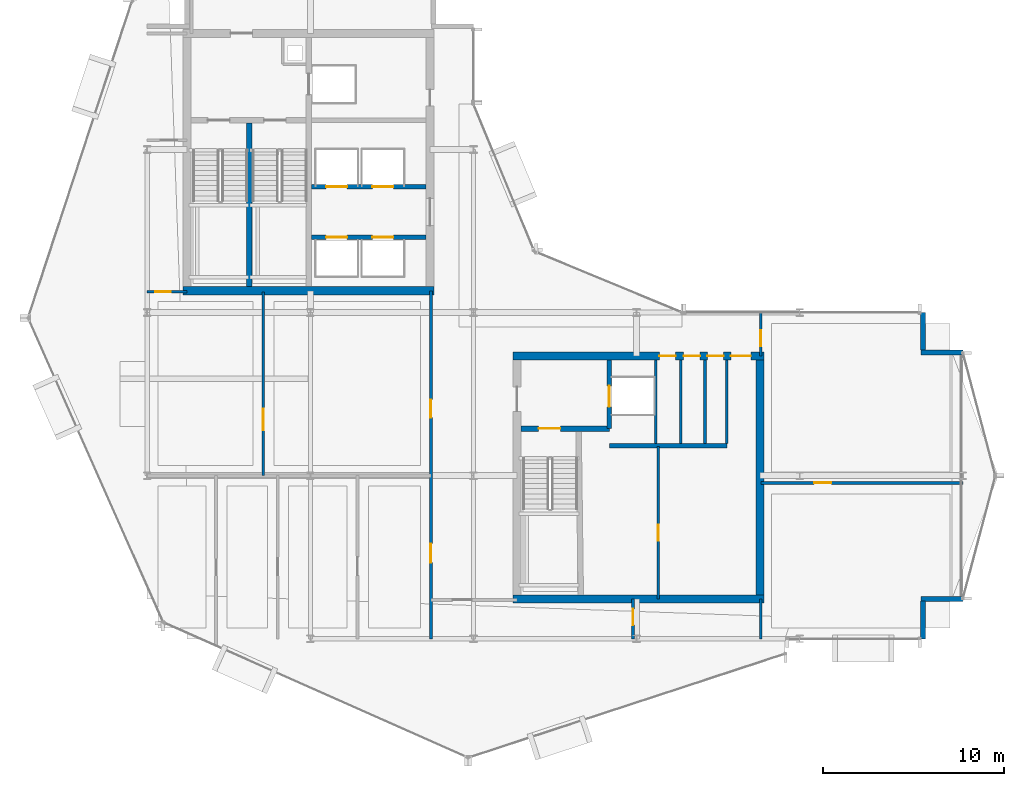
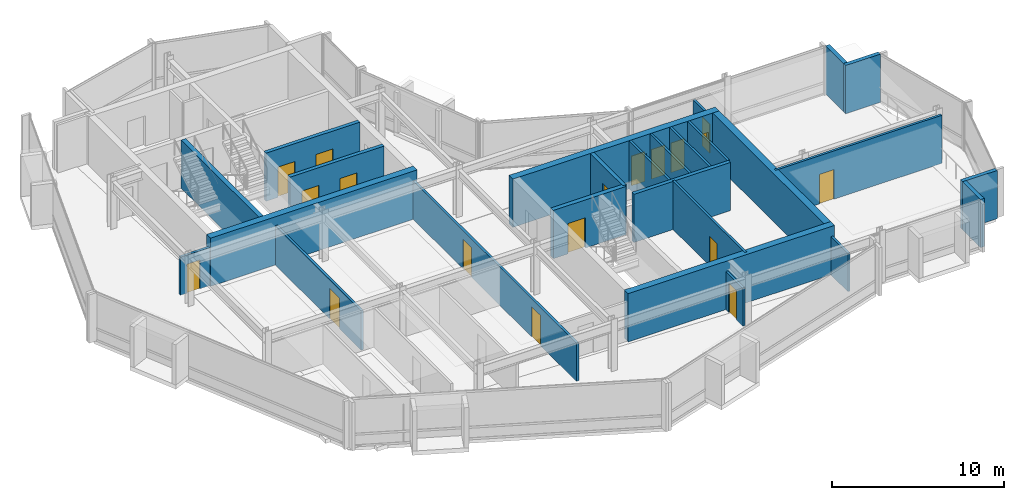
# One storey, part 20 of 27: 26 walls, 18 doors, 18 openings.
"""IFC4 building model written with IfcOpenShell, lengths in metres."""

from ifc_helpers import new_model, si_unit, direction, frame, frame_2d, origin, place, context, subcontext, project, spatial, rectangle, extrude, material, layer, layer_set, type_object, element, fill, save


model = new_model("IFC4")

# Units and contexts
model_context = context("Model", 3, precision=1e-05, world=origin(), true_north=direction((0.0, 1.0)))
body_context = subcontext(model_context, "Body", "Model", "MODEL_VIEW")
ifc_project = project(units=[si_unit("LENGTHUNIT", "METRE"), si_unit("AREAUNIT", "SQUARE_METRE"), si_unit("VOLUMEUNIT", "CUBIC_METRE"), si_unit("PLANEANGLEUNIT", "RADIAN"), si_unit("MASSUNIT", "GRAM", prefix="KILO")], contexts=[model_context])

# Site, building, storey
site_placement = place(None, origin())
site = spatial("IfcSite", under=ifc_project, at=site_placement, CompositionType="ELEMENT")
building_placement = place(site_placement, origin())
building = spatial("IfcBuilding", under=site, at=building_placement, Name="Solvaryn Broadcast Tower", CompositionType="ELEMENT")
storey_placement = place(building_placement, frame((0.0, 0.0, 224.699951171875)))
storey = spatial("IfcBuildingStorey", under=building, at=storey_placement, Name="L56", CompositionType="ELEMENT", Elevation=224.699951171875)

# Walls
ifc_material_1 = material(Name="Concrete f'c 70 MPa", Category="concrete")
ifc_layer_1 = layer(ifc_material_1, 0.449951171875)
ifc_layer_set_1 = layer_set([ifc_layer_1], Name="CW-SHEAR-450")
wall_type_1 = type_object("IfcWallType", Name="CW-SHEAR-450", PredefinedType="SHEAR", material=ifc_layer_set_1)
for number, where, z_axis, x_axis, name in (
    (1, (10.97509765625, 28.199951171875, 0.0), (0.0, 0.0, 1.0), (1.0, 0.0, 0.0), "L56 West Core South Shear Wall"),
    (2, (29.175048828125, 11.199951171875, 0.0), (0.0, 0.0, 1.0), (1.0, 0.0, 0.0), "L56 East Core South Shear Wall"),
):
    element("IfcWall", number, at=place(storey_placement, frame(where, z_axis=z_axis, x_axis=x_axis)), inside=storey, type_object=wall_type_1, Name=name, PredefinedType="SHEAR", context=body_context, shape_type="SweptSolid", body=[
        extrude(rectangle(XDim=13.849853515625, YDim=0.449951171875, at=frame_2d((6.9248046875, 0.0))), origin(), (0.0, 0.0, 1.0), 3.420166015625),
    ])

# Wall, openings, doors
wall_1_placement = place(storey_placement, frame((43.02490234375, 24.60009765625, 0.0), z_axis=(0.0, 0.0, 1.0), x_axis=(-1.0, 0.0, 0.0)))
wall_1 = element("IfcWall", 3, at=wall_1_placement, inside=storey, type_object=wall_type_1, Name="L56 East Core North Shear Wall", PredefinedType="SHEAR", context=body_context, shape_type="SweptSolid", body=[
    extrude(rectangle(XDim=13.849853515625, YDim=0.449951171875, at=frame_2d((6.9248046875, 0.0))), origin(), (0.0, 0.0, 1.0), 3.420166015625),
])
opening_1_placement = place(wall_1_placement, frame((0.72509765625, 0.0, 0.0)))
opening_1 = element("IfcOpeningElement", 4, at=opening_1_placement, cuts=wall_1, Name="Opening FD90C", PredefinedType="OPENING", context=body_context, shape_type="SweptSolid", body=[
    extrude(rectangle(XDim=1.10009765625, YDim=2.14990234375, at=frame_2d((0.550048828125, 1.074951171875))), frame((0.0, 0.235107421875, 0.0), z_axis=(0.0, -1.0, 0.0), x_axis=(1.0, 0.0, 0.0)), (0.0, 0.0, 1.0), 0.469970703125),
])
opening_2_placement = place(wall_1_placement, frame((2.22509765625, 0.0, 0.0)))
opening_2 = element("IfcOpeningElement", 5, at=opening_2_placement, cuts=wall_1, Name="Opening FD60C", PredefinedType="OPENING", context=body_context, shape_type="SweptSolid", body=[
    extrude(rectangle(XDim=0.89990234375, YDim=2.10009765625, at=frame_2d((0.449951171875, 1.050048828125))), frame((0.0, 0.235107421875, 0.0), z_axis=(0.0, -1.0, 0.0), x_axis=(1.0, 0.0, 0.0)), (0.0, 0.0, 1.0), 0.469970703125),
])
opening_3_placement = place(wall_1_placement, frame((3.52490234375, 0.0, 0.0)))
opening_3 = element("IfcOpeningElement", 6, at=opening_3_placement, cuts=wall_1, Name="Opening FD60C", PredefinedType="OPENING", context=body_context, shape_type="SweptSolid", body=[
    extrude(rectangle(XDim=0.89990234375, YDim=2.10009765625, at=frame_2d((0.449951171875, 1.050048828125))), frame((0.0, 0.235107421875, 0.0), z_axis=(0.0, -1.0, 0.0), x_axis=(1.0, 0.0, 0.0)), (0.0, 0.0, 1.0), 0.469970703125),
])
opening_4_placement = place(wall_1_placement, frame((4.875, 0.0, 0.0)))
opening_4 = element("IfcOpeningElement", 7, at=opening_4_placement, cuts=wall_1, Name="Opening FD60C", PredefinedType="OPENING", context=body_context, shape_type="SweptSolid", body=[
    extrude(rectangle(XDim=0.89990234375, YDim=2.10009765625, at=frame_2d((0.449951171875, 1.050048828125))), frame((0.0, 0.235107421875, 0.0), z_axis=(0.0, -1.0, 0.0), x_axis=(1.0, 0.0, 0.0)), (0.0, 0.0, 1.0), 0.469970703125),
])
ifc_material_2 = material(Name="Flush Acoustic Steel and Timber Door Assembly", Category="steel")
door_type_1 = type_object("IfcDoorType", Name="FD60-SERV-900X2100", OperationType="NOTDEFINED", PredefinedType="DOOR", material=ifc_material_2)
door_1_placement = place(opening_2_placement, origin())
door_1 = element("IfcDoor", 8, at=door_1_placement, inside=storey, type_object=door_type_1, Name="L56 Core Wellness Room Door", OperationType="SINGLE_SWING_RIGHT", OverallHeight=2.10009765625, OverallWidth=0.89990234375, PredefinedType="DOOR", context=body_context, shape_type="SweptSolid", body=[
    extrude(rectangle(XDim=0.89990234375, YDim=2.10009765625, at=frame_2d((0.449951171875, 1.050048828125))), frame((0.0, 0.02490234375, 0.0), z_axis=(0.0, -1.0, 0.0), x_axis=(1.0, 0.0, 0.0)), (0.0, 0.0, 1.0), 0.050048828125),
])
fill(opening_2, door_1)
door_2_placement = place(opening_3_placement, origin())
door_2 = element("IfcDoor", 9, at=door_2_placement, inside=storey, type_object=door_type_1, Name="L56 Staff Restroom Door", OperationType="SINGLE_SWING_LEFT", OverallHeight=2.10009765625, OverallWidth=0.89990234375, PredefinedType="DOOR", context=body_context, shape_type="SweptSolid", body=[
    extrude(rectangle(XDim=0.89990234375, YDim=2.10009765625, at=frame_2d((0.449951171875, 1.050048828125))), frame((0.0, 0.02490234375, 0.0), z_axis=(0.0, -1.0, 0.0), x_axis=(1.0, 0.0, 0.0)), (0.0, 0.0, 1.0), 0.050048828125),
])
fill(opening_3, door_2)
door_3_placement = place(opening_4_placement, origin())
door_3 = element("IfcDoor", 10, at=door_3_placement, inside=storey, type_object=door_type_1, Name="L56 Accessible WC Door", OperationType="SINGLE_SWING_RIGHT", OverallHeight=2.10009765625, OverallWidth=0.89990234375, PredefinedType="DOOR", context=body_context, shape_type="SweptSolid", body=[
    extrude(rectangle(XDim=0.89990234375, YDim=2.10009765625, at=frame_2d((0.449951171875, 1.050048828125))), frame((0.0, 0.02490234375, 0.0), z_axis=(0.0, -1.0, 0.0), x_axis=(1.0, 0.0, 0.0)), (0.0, 0.0, 1.0), 0.050048828125),
])
fill(opening_4, door_3)
ifc_material_3 = material(Name="Flush Acoustic Steel and Timber Door Assembly", Category="steel")
door_type_2 = type_object("IfcDoorType", Name="FD90-PLANT-1100X2150", OperationType="NOTDEFINED", PredefinedType="DOOR", material=ifc_material_3)
door_4_placement = place(opening_1_placement, origin())
door_4 = element("IfcDoor", 11, at=door_4_placement, inside=storey, type_object=door_type_2, Name="L56 East Core Lobby Corridor Door", OperationType="SINGLE_SWING_LEFT", OverallHeight=2.14990234375, OverallWidth=1.10009765625, PredefinedType="DOOR", context=body_context, shape_type="SweptSolid", body=[
    extrude(rectangle(XDim=1.10009765625, YDim=2.14990234375, at=frame_2d((0.550048828125, 1.074951171875))), frame((0.0, 0.02490234375, 0.0), z_axis=(0.0, -1.0, 0.0), x_axis=(1.0, 0.0, 0.0)), (0.0, 0.0, 1.0), 0.050048828125),
])
fill(opening_1, door_4)

# Walls
wall_2_placement = place(storey_placement, frame((42.800048828125, 11.425048828125, 0.0), z_axis=(0.0, 0.0, 1.0), x_axis=(0.0, 1.0, 0.0)))
element("IfcWall", 12, at=wall_2_placement, inside=storey, type_object=wall_type_1, Name="L56 East Core East Shear Wall", PredefinedType="SHEAR", context=body_context, shape_type="SweptSolid", body=[
    extrude(rectangle(XDim=12.949951171875, YDim=0.449951171875, at=frame_2d((6.47509765625, 0.0))), origin(), (0.0, 0.0, 1.0), 3.420166015625),
])
ifc_material_4 = material(Name="Concrete f'c 50 MPa", Category="concrete")
ifc_layer_2 = layer(ifc_material_4, 0.260009765625)
ifc_layer_set_2 = layer_set([ifc_layer_2], Name="EW-PIER-260")
wall_type_2 = type_object("IfcWallType", Name="EW-PIER-260", PredefinedType="SOLIDWALL", material=ifc_layer_set_2)
wall_3_placement = place(storey_placement, frame((51.800048828125, 9.0, 0.0), z_axis=(0.0, 0.0, 1.0), x_axis=(0.0, 1.0, 0.0)))
element("IfcWall", 13, at=wall_3_placement, inside=storey, type_object=wall_type_2, Name="L56 Notched Corner Pier Wall NSE1", PredefinedType="SOLIDWALL", context=body_context, shape_type="SweptSolid", body=[
    extrude(rectangle(XDim=2.080078125, YDim=0.260009765625, at=frame_2d((1.0400390625, 0.0))), origin(), (0.0, 0.0, 1.0), 3.420166015625),
])
for number, where, z_axis, x_axis, name in (
    (14, (51.679931640625, 11.199951171875, 0.0), (0.0, 0.0, 1.0), (1.0, 0.0, 0.0), "L56 Notched Corner Pier Wall NSE2"),
    (15, (54.0, 24.800048828125, 0.0), (0.0, 0.0, 1.0), (-1.0, 0.0, 0.0), "L56 Notched Corner Pier Wall NEE1"),
):
    element("IfcWall", number, at=place(storey_placement, frame(where, z_axis=z_axis, x_axis=x_axis)), inside=storey, type_object=wall_type_2, Name=name, PredefinedType="SOLIDWALL", context=body_context, shape_type="SweptSolid", body=[
        extrude(rectangle(XDim=2.320068359375, YDim=0.260009765625, at=frame_2d((1.16015625, 0.0))), origin(), (0.0, 0.0, 1.0), 3.420166015625),
    ])
wall_4_placement = place(storey_placement, frame((51.800048828125, 24.919921875, 0.0), z_axis=(0.0, 0.0, 1.0), x_axis=(0.0, 1.0, 0.0)))
element("IfcWall", 16, at=wall_4_placement, inside=storey, type_object=wall_type_2, Name="L56 Notched Corner Pier Wall NEE2", PredefinedType="SOLIDWALL", context=body_context, shape_type="SweptSolid", body=[
    extrude(rectangle(XDim=2.080078125, YDim=0.260009765625, at=frame_2d((1.0400390625, 0.0))), origin(), (0.0, 0.0, 1.0), 3.420166015625),
])

# Wall, opening, door
ifc_material_5 = material(Name="Metal-Stud Service Core Partition")
ifc_layer_3 = layer(ifc_material_5, 0.14990234375)
ifc_layer_set_3 = layer_set([ifc_layer_3], Name="IW-PART-150")
wall_type_3 = type_object("IfcWallType", Name="IW-PART-150", PredefinedType="PARTITIONING", material=ifc_layer_set_3)
wall_5_placement = place(storey_placement, frame((37.199951171875, 11.199951171875, 0.0), z_axis=(0.0, 0.0, 1.0), x_axis=(0.0, 1.0, 0.0)))
wall_5 = element("IfcWall", 17, at=wall_5_placement, inside=storey, type_object=wall_type_3, Name="L56 Interior Partition IW-L56-RPM-V", PredefinedType="PARTITIONING", context=body_context, shape_type="SweptSolid", body=[
    extrude(rectangle(XDim=8.400146484375, YDim=0.14990234375, at=frame_2d((4.2001953125, 0.0))), origin(), (0.0, 0.0, 1.0), 3.420166015625),
])
opening_5_placement = place(wall_5_placement, frame((3.199951171875, 0.0, 0.0)))
opening_5 = element("IfcOpeningElement", 18, at=opening_5_placement, cuts=wall_5, Name="Opening FD60C", PredefinedType="OPENING", context=body_context, shape_type="SweptSolid", body=[
    extrude(rectangle(XDim=0.89990234375, YDim=2.10009765625, at=frame_2d((0.449951171875, 1.050048828125))), frame((0.0, 0.0849609375, 0.0), z_axis=(0.0, -1.0, 0.0), x_axis=(1.0, 0.0, 0.0)), (0.0, 0.0, 1.0), 0.169921875),
])
door_5_placement = place(opening_5_placement, origin())
door_5 = element("IfcDoor", 19, at=door_5_placement, inside=storey, type_object=door_type_1, Name="L56 Door DR-L56-RPM1", OperationType="SINGLE_SWING_LEFT", OverallHeight=2.10009765625, OverallWidth=0.89990234375, PredefinedType="DOOR", context=body_context, shape_type="SweptSolid", body=[
    extrude(rectangle(XDim=0.89990234375, YDim=2.10009765625, at=frame_2d((0.449951171875, 1.050048828125))), frame((0.0, 0.02490234375, 0.0), z_axis=(0.0, -1.0, 0.0), x_axis=(1.0, 0.0, 0.0)), (0.0, 0.0, 1.0), 0.050048828125),
])
fill(opening_5, door_5)

# Walls
for number, where, z_axis, x_axis, name in (
    (20, (37.050048828125, 19.780029296875, 0.0), (0.0, 0.0, 1.0), (0.0, 1.0, 0.0), "L56 Interior Partition IW-L56-CE-FL2E"),
    (21, (38.43994140625, 19.780029296875, 0.0), (0.0, 0.0, 1.0), (0.0, 1.0, 0.0), "L56 Interior Partition IW-L56-CE-V1"),
    (22, (39.77001953125, 19.780029296875, 0.0), (0.0, 0.0, 1.0), (0.0, 1.0, 0.0), "L56 Interior Partition IW-L56-CE-V2"),
    (23, (40.97998046875, 19.780029296875, 0.0), (0.0, 0.0, 1.0), (0.0, 1.0, 0.0), "L56 Interior Partition IW-L56-CE-V3"),
):
    element("IfcWall", number, at=place(storey_placement, frame(where, z_axis=z_axis, x_axis=x_axis)), inside=storey, type_object=wall_type_3, Name=name, PredefinedType="PARTITIONING", context=body_context, shape_type="SweptSolid", body=[
        extrude(rectangle(XDim=4.594970703125, YDim=0.14990234375, at=frame_2d((2.29736328125, 0.0))), origin(), (0.0, 0.0, 1.0), 3.420166015625),
    ])

# Wall, opening, door
wall_6_placement = place(storey_placement, frame((35.800048828125, 9.0, 0.0), z_axis=(0.0, 0.0, 1.0), x_axis=(0.0, 1.0, 0.0)))
wall_6 = element("IfcWall", 24, at=wall_6_placement, inside=storey, type_object=wall_type_3, Name="L56 Interior Partition IW-L56-SC-V", PredefinedType="PARTITIONING", context=body_context, shape_type="SweptSolid", body=[
    extrude(rectangle(XDim=2.199951171875, YDim=0.14990234375, at=frame_2d((1.10009765625, 0.0))), origin(), (0.0, 0.0, 1.0), 2.70703125),
])
opening_6_placement = place(wall_6_placement, frame((0.75, 0.0, 0.0)))
opening_6 = element("IfcOpeningElement", 25, at=opening_6_placement, cuts=wall_6, Name="Opening FD60C", PredefinedType="OPENING", context=body_context, shape_type="SweptSolid", body=[
    extrude(rectangle(XDim=0.89990234375, YDim=2.10009765625, at=frame_2d((0.449951171875, 1.050048828125))), frame((0.0, 0.0849609375, 0.0), z_axis=(0.0, -1.0, 0.0), x_axis=(1.0, 0.0, 0.0)), (0.0, 0.0, 1.0), 0.169921875),
])
door_6_placement = place(opening_6_placement, origin())
door_6 = element("IfcDoor", 26, at=door_6_placement, inside=storey, type_object=door_type_1, Name="L56 Door DR-L56-SC1", OperationType="SINGLE_SWING_LEFT", OverallHeight=2.10009765625, OverallWidth=0.89990234375, PredefinedType="DOOR", context=body_context, shape_type="SweptSolid", body=[
    extrude(rectangle(XDim=0.89990234375, YDim=2.10009765625, at=frame_2d((0.449951171875, 1.050048828125))), frame((0.0, 0.02490234375, 0.0), z_axis=(0.0, -1.0, 0.0), x_axis=(1.0, 0.0, 0.0)), (0.0, 0.0, 1.0), 0.050048828125),
])
fill(opening_6, door_6)

ifc_material_6 = material(Name="Metal-Stud Gypsum Office Partition")
ifc_layer_4 = layer(ifc_material_6, 0.159912109375)
ifc_layer_set_4 = layer_set([ifc_layer_4], Name="IW-PART-160")
wall_type_4 = type_object("IfcWallType", Name="IW-PART-160", PredefinedType="PARTITIONING", material=ifc_layer_set_4)
wall_7_placement = place(storey_placement, frame((9.0, 28.14990234375, 0.0), z_axis=(0.0, 0.0, 1.0), x_axis=(1.0, 0.0, 0.0)))
wall_7 = element("IfcWall", 27, at=wall_7_placement, inside=storey, type_object=wall_type_4, Name="L56 Interior Partition IW-L56-WM-S", PredefinedType="PARTITIONING", context=body_context, shape_type="SweptSolid", body=[
    extrude(rectangle(XDim=2.199951171875, YDim=0.159912109375, at=frame_2d((1.10009765625, 0.0))), origin(), (0.0, 0.0, 1.0), 2.70703125),
])
opening_7_placement = place(wall_7_placement, frame((0.449951171875, 0.0, 0.0)))
opening_7 = element("IfcOpeningElement", 28, at=opening_7_placement, cuts=wall_7, Name="Opening ID07", PredefinedType="OPENING", context=body_context, shape_type="SweptSolid", body=[
    extrude(rectangle(XDim=0.860107421875, YDim=2.050048828125, at=frame_2d((0.43017578125, 1.02490234375))), frame((0.0, 0.090087890625, 0.0), z_axis=(0.0, -1.0, 0.0), x_axis=(1.0, 0.0, 0.0)), (0.0, 0.0, 1.0), 0.179931640625),
])
ifc_material_7 = material(Name="Flush Acoustic Steel and Timber Door Assembly", Category="steel")
door_type_3 = type_object("IfcDoorType", Name="ID-07-860X2050", OperationType="NOTDEFINED", PredefinedType="DOOR", material=ifc_material_7)
door_7_placement = place(opening_7_placement, origin())
door_7 = element("IfcDoor", 29, at=door_7_placement, inside=storey, type_object=door_type_3, Name="L56 Door DR-L56-WM0", OperationType="SINGLE_SWING_RIGHT", OverallHeight=2.050048828125, OverallWidth=0.860107421875, PredefinedType="DOOR", context=body_context, shape_type="SweptSolid", body=[
    extrude(rectangle(XDim=0.860107421875, YDim=2.050048828125, at=frame_2d((0.43017578125, 1.02490234375))), frame((0.0, 0.02490234375, 0.0), z_axis=(0.0, -1.0, 0.0), x_axis=(1.0, 0.0, 0.0)), (0.0, 0.0, 1.0), 0.050048828125),
])
fill(opening_7, door_7)

# Wall, openings, doors
wall_8_placement = place(storey_placement, frame((24.64990234375, 9.0, 0.0), z_axis=(0.0, 0.0, 1.0), x_axis=(0.0, 1.0, 0.0)))
wall_8 = element("IfcWall", 30, at=wall_8_placement, inside=storey, type_object=wall_type_4, Name="L56 Interior Partition IW-L56-SW-EB", PredefinedType="PARTITIONING", context=body_context, shape_type="SweptSolid", body=[
    extrude(rectangle(XDim=19.199951171875, YDim=0.159912109375, at=frame_2d((9.60009765625, 0.0))), origin(), (0.0, 0.0, 1.0), 2.70703125),
])
opening_8_placement = place(wall_8_placement, frame((12.199951171875, 0.0, 0.0)))
opening_8 = element("IfcOpeningElement", 31, at=opening_8_placement, cuts=wall_8, Name="Opening ID02", PredefinedType="OPENING", context=body_context, shape_type="SweptSolid", body=[
    extrude(rectangle(XDim=1.0, YDim=2.10009765625, at=frame_2d((0.5, 1.050048828125))), frame((0.0, 0.090087890625, 0.0), z_axis=(0.0, -1.0, 0.0), x_axis=(1.0, 0.0, 0.0)), (0.0, 0.0, 1.0), 0.179931640625),
])
opening_9_placement = place(wall_8_placement, frame((4.199951171875, 0.0, 0.0)))
opening_9 = element("IfcOpeningElement", 32, at=opening_9_placement, cuts=wall_8, Name="Opening ID03", PredefinedType="OPENING", context=body_context, shape_type="SweptSolid", body=[
    extrude(rectangle(XDim=1.050048828125, YDim=2.14990234375, at=frame_2d((0.52490234375, 1.074951171875))), frame((0.0, 0.090087890625, 0.0), z_axis=(0.0, -1.0, 0.0), x_axis=(1.0, 0.0, 0.0)), (0.0, 0.0, 1.0), 0.179931640625),
])
ifc_material_8 = material(Name="Flush Acoustic Steel and Timber Door Assembly", Category="steel")
door_type_4 = type_object("IfcDoorType", Name="ID-02-1000X2100", OperationType="NOTDEFINED", PredefinedType="DOOR", material=ifc_material_8)
door_8_placement = place(opening_8_placement, origin())
door_8 = element("IfcDoor", 33, at=door_8_placement, inside=storey, type_object=door_type_4, Name="L56 Door DR-L56-SW-EN", OperationType="SINGLE_SWING_RIGHT", OverallHeight=2.10009765625, OverallWidth=1.0, PredefinedType="DOOR", context=body_context, shape_type="SweptSolid", body=[
    extrude(rectangle(XDim=1.0, YDim=2.10009765625, at=frame_2d((0.5, 1.050048828125))), frame((0.0, 0.02490234375, 0.0), z_axis=(0.0, -1.0, 0.0), x_axis=(1.0, 0.0, 0.0)), (0.0, 0.0, 1.0), 0.050048828125),
])
fill(opening_8, door_8)
ifc_material_9 = material(Name="Flush Acoustic Steel and Timber Door Assembly", Category="steel")
door_type_5 = type_object("IfcDoorType", Name="ID-03-1050X2150", OperationType="NOTDEFINED", PredefinedType="DOOR", material=ifc_material_9)
door_9_placement = place(opening_9_placement, origin())
door_9 = element("IfcDoor", 34, at=door_9_placement, inside=storey, type_object=door_type_5, Name="L56 Door DR-L56-SW-ES", OperationType="SINGLE_SWING_LEFT", OverallHeight=2.14990234375, OverallWidth=1.050048828125, PredefinedType="DOOR", context=body_context, shape_type="SweptSolid", body=[
    extrude(rectangle(XDim=1.050048828125, YDim=2.14990234375, at=frame_2d((0.52490234375, 1.074951171875))), frame((0.0, 0.02490234375, 0.0), z_axis=(0.0, -1.0, 0.0), x_axis=(1.0, 0.0, 0.0)), (0.0, 0.0, 1.0), 0.050048828125),
])
fill(opening_9, door_9)

# Wall, opening, door
wall_9_placement = place(storey_placement, frame((15.39990234375, 18.0, 0.0), z_axis=(0.0, 0.0, 1.0), x_axis=(0.0, 1.0, 0.0)))
wall_9 = element("IfcWall", 35, at=wall_9_placement, inside=storey, type_object=wall_type_4, Name="L56 Interior Partition IW-L56-SWN-V1", PredefinedType="PARTITIONING", context=body_context, shape_type="SweptSolid", body=[
    extrude(rectangle(XDim=10.1298828125, YDim=0.159912109375, at=frame_2d((5.06494140625, 0.0))), origin(), (0.0, 0.0, 1.0), 2.7890625),
])
opening_10_placement = place(wall_9_placement, frame((2.5, 0.0, 0.0)))
opening_10 = element("IfcOpeningElement", 36, at=opening_10_placement, cuts=wall_9, Name="Opening ID04", PredefinedType="OPENING", context=body_context, shape_type="SweptSolid", body=[
    extrude(rectangle(XDim=1.199951171875, YDim=2.14990234375, at=frame_2d((0.60009765625, 1.074951171875))), frame((0.0, 0.090087890625, 0.0), z_axis=(0.0, -1.0, 0.0), x_axis=(1.0, 0.0, 0.0)), (0.0, 0.0, 1.0), 0.179931640625),
])
ifc_material_10 = material(Name="Flush Acoustic Steel and Timber Door Assembly", Category="steel")
door_type_6 = type_object("IfcDoorType", Name="ID-04-1200X2150", OperationType="NOTDEFINED", PredefinedType="DOOR", material=ifc_material_10)
door_10_placement = place(opening_10_placement, origin())
door_10 = element("IfcDoor", 37, at=door_10_placement, inside=storey, type_object=door_type_6, Name="L56 Door DR-L56-SWN-1", OperationType="SINGLE_SWING_RIGHT", OverallHeight=2.14990234375, OverallWidth=1.199951171875, PredefinedType="DOOR", context=body_context, shape_type="SweptSolid", body=[
    extrude(rectangle(XDim=1.199951171875, YDim=2.14990234375, at=frame_2d((0.60009765625, 1.074951171875))), frame((0.0, 0.02490234375, 0.0), z_axis=(0.0, -1.0, 0.0), x_axis=(1.0, 0.0, 0.0)), (0.0, 0.0, 1.0), 0.050048828125),
])
fill(opening_10, door_10)

# Wall
wall_10_placement = place(storey_placement, frame((42.85009765625, 9.0, 0.0), z_axis=(0.0, 0.0, 1.0), x_axis=(0.0, 1.0, 0.0)))
element("IfcWall", 38, at=wall_10_placement, inside=storey, type_object=wall_type_4, Name="L56 Interior Partition IW-L56-SC-E", PredefinedType="PARTITIONING", context=body_context, shape_type="SweptSolid", body=[
    extrude(rectangle(XDim=2.199951171875, YDim=0.159912109375, at=frame_2d((1.10009765625, 0.0))), origin(), (0.0, 0.0, 1.0), 2.70703125),
])

# Wall, opening, door
wall_11_placement = place(storey_placement, frame((42.85009765625, 24.60009765625, 0.0), z_axis=(0.0, 0.0, 1.0), x_axis=(0.0, 1.0, 0.0)))
wall_11 = element("IfcWall", 39, at=wall_11_placement, inside=storey, type_object=wall_type_4, Name="L56 Interior Partition IW-L56-EW-BN", PredefinedType="PARTITIONING", context=body_context, shape_type="SweptSolid", body=[
    extrude(rectangle(XDim=2.39990234375, YDim=0.159912109375, at=frame_2d((1.199951171875, 0.0))), origin(), (0.0, 0.0, 1.0), 2.70703125),
])
opening_11_placement = place(wall_11_placement, frame((0.550048828125, 0.0, 0.0)))
opening_11 = element("IfcOpeningElement", 40, at=opening_11_placement, cuts=wall_11, Name="Opening ID07", PredefinedType="OPENING", context=body_context, shape_type="SweptSolid", body=[
    extrude(rectangle(XDim=0.860107421875, YDim=2.050048828125, at=frame_2d((0.43017578125, 1.02490234375))), frame((0.0, 0.090087890625, 0.0), z_axis=(0.0, -1.0, 0.0), x_axis=(1.0, 0.0, 0.0)), (0.0, 0.0, 1.0), 0.179931640625),
])
door_11_placement = place(opening_11_placement, origin())
door_11 = element("IfcDoor", 41, at=door_11_placement, inside=storey, type_object=door_type_3, Name="L56 Door DR-L56-EW0", OperationType="SINGLE_SWING_RIGHT", OverallHeight=2.050048828125, OverallWidth=0.860107421875, PredefinedType="DOOR", context=body_context, shape_type="SweptSolid", body=[
    extrude(rectangle(XDim=0.860107421875, YDim=2.050048828125, at=frame_2d((0.43017578125, 1.02490234375))), frame((0.0, 0.02490234375, 0.0), z_axis=(0.0, -1.0, 0.0), x_axis=(1.0, 0.0, 0.0)), (0.0, 0.0, 1.0), 0.050048828125),
])
fill(opening_11, door_11)

wall_12_placement = place(storey_placement, frame((42.85009765625, 17.60009765625, 0.0), z_axis=(0.0, 0.0, 1.0), x_axis=(1.0, 0.0, 0.0)))
wall_12 = element("IfcWall", 42, at=wall_12_placement, inside=storey, type_object=wall_type_4, Name="L56 Interior Partition IW-L56-EW-H1", PredefinedType="PARTITIONING", context=body_context, shape_type="SweptSolid", body=[
    extrude(rectangle(XDim=11.14990234375, YDim=0.159912109375, at=frame_2d((5.574951171875, 0.0))), origin(), (0.0, 0.0, 1.0), 3.420166015625),
])
opening_12_placement = place(wall_12_placement, frame((2.949951171875, 0.0, 0.0)))
opening_12 = element("IfcOpeningElement", 43, at=opening_12_placement, cuts=wall_12, Name="Opening ID01", PredefinedType="OPENING", context=body_context, shape_type="SweptSolid", body=[
    extrude(rectangle(XDim=0.949951171875, YDim=2.10009765625, at=frame_2d((0.47509765625, 1.050048828125))), frame((0.0, 0.090087890625, 0.0), z_axis=(0.0, -1.0, 0.0), x_axis=(1.0, 0.0, 0.0)), (0.0, 0.0, 1.0), 0.179931640625),
])
ifc_material_11 = material(Name="Flush Acoustic Steel and Timber Door Assembly", Category="steel")
door_type_7 = type_object("IfcDoorType", Name="ID-01-950X2100", OperationType="NOTDEFINED", PredefinedType="DOOR", material=ifc_material_11)
door_12_placement = place(opening_12_placement, origin())
door_12 = element("IfcDoor", 44, at=door_12_placement, inside=storey, type_object=door_type_7, Name="L56 Door DR-L56-EW-1", OperationType="SINGLE_SWING_LEFT", OverallHeight=2.10009765625, OverallWidth=0.949951171875, PredefinedType="DOOR", context=body_context, shape_type="SweptSolid", body=[
    extrude(rectangle(XDim=0.949951171875, YDim=2.10009765625, at=frame_2d((0.47509765625, 1.050048828125))), frame((0.0, 0.02490234375, 0.0), z_axis=(0.0, -1.0, 0.0), x_axis=(1.0, 0.0, 0.0)), (0.0, 0.0, 1.0), 0.050048828125),
])
fill(opening_12, door_12)

# Wall, openings, doors
ifc_material_12 = material(Name="Concrete f'c 60 MPa", Category="concrete")
ifc_layer_5 = layer(ifc_material_12, 0.25)
ifc_layer_set_5 = layer_set([ifc_layer_5], Name="SW-SHAFT-250")
wall_type_5 = type_object("IfcWallType", Name="SW-SHAFT-250", PredefinedType="PARTITIONING", material=ifc_layer_set_5)
wall_13_placement = place(storey_placement, frame((18.070068359375, 31.14990234375, 0.0), z_axis=(0.0, 0.0, 1.0), x_axis=(1.0, 0.0, 0.0)))
wall_13 = element("IfcWall", 45, at=wall_13_placement, inside=storey, type_object=wall_type_5, Name="L56 High-Rise Lift Bank South Wall", PredefinedType="PARTITIONING", context=body_context, shape_type="SweptSolid", body=[
    extrude(rectangle(XDim=6.304931640625, YDim=0.25, at=frame_2d((3.15234375, 0.0))), origin(), (0.0, 0.0, 1.0), 3.420166015625),
])
opening_13_placement = place(wall_13_placement, frame((0.804931640625, 0.0, 0.0)))
opening_13 = element("IfcOpeningElement", 46, at=opening_13_placement, cuts=wall_13, Name="Opening LD01", PredefinedType="OPENING", context=body_context, shape_type="SweptSolid", body=[
    extrude(rectangle(XDim=1.14990234375, YDim=2.14990234375, at=frame_2d((0.574951171875, 1.074951171875))), frame((0.0, 0.135009765625, 0.0), z_axis=(0.0, -1.0, 0.0), x_axis=(1.0, 0.0, 0.0)), (0.0, 0.0, 1.0), 0.27001953125),
])
opening_14_placement = place(wall_13_placement, frame((3.35498046875, 0.0, 0.0)))
opening_14 = element("IfcOpeningElement", 47, at=opening_14_placement, cuts=wall_13, Name="Opening LD01", PredefinedType="OPENING", context=body_context, shape_type="SweptSolid", body=[
    extrude(rectangle(XDim=1.14990234375, YDim=2.14990234375, at=frame_2d((0.574951171875, 1.074951171875))), frame((0.0, 0.135009765625, 0.0), z_axis=(0.0, -1.0, 0.0), x_axis=(1.0, 0.0, 0.0)), (0.0, 0.0, 1.0), 0.27001953125),
])
ifc_material_13 = material(Name="Flush Acoustic Steel and Timber Door Assembly", Category="steel")
door_type_8 = type_object("IfcDoorType", Name="LD-LIFT-1150X2150", OperationType="NOTDEFINED", PredefinedType="DOOR", material=ifc_material_13)
door_13_placement = place(opening_13_placement, origin())
door_13 = element("IfcDoor", 48, at=door_13_placement, inside=storey, type_object=door_type_8, Name="L56 PH1 Lift Landing Door", OperationType="DOUBLE_DOOR_SLIDING", OverallHeight=2.14990234375, OverallWidth=1.14990234375, PredefinedType="DOOR", context=body_context, shape_type="SweptSolid", body=[
    extrude(rectangle(XDim=1.14990234375, YDim=2.14990234375, at=frame_2d((0.574951171875, 1.074951171875))), frame((0.0, 0.02490234375, 0.0), z_axis=(0.0, -1.0, 0.0), x_axis=(1.0, 0.0, 0.0)), (0.0, 0.0, 1.0), 0.050048828125),
])
fill(opening_13, door_13)
door_14_placement = place(opening_14_placement, origin())
door_14 = element("IfcDoor", 49, at=door_14_placement, inside=storey, type_object=door_type_8, Name="L56 PH2 Lift Landing Door", OperationType="DOUBLE_DOOR_SLIDING", OverallHeight=2.14990234375, OverallWidth=1.14990234375, PredefinedType="DOOR", context=body_context, shape_type="SweptSolid", body=[
    extrude(rectangle(XDim=1.14990234375, YDim=2.14990234375, at=frame_2d((0.574951171875, 1.074951171875))), frame((0.0, 0.02490234375, 0.0), z_axis=(0.0, -1.0, 0.0), x_axis=(1.0, 0.0, 0.0)), (0.0, 0.0, 1.0), 0.050048828125),
])
fill(opening_14, door_14)

wall_14_placement = place(storey_placement, frame((24.375, 33.949951171875, 0.0), z_axis=(0.0, 0.0, 1.0), x_axis=(-1.0, 0.0, 0.0)))
wall_14 = element("IfcWall", 50, at=wall_14_placement, inside=storey, type_object=wall_type_5, Name="L56 High-Rise Lift Bank North Wall", PredefinedType="PARTITIONING", context=body_context, shape_type="SweptSolid", body=[
    extrude(rectangle(XDim=6.304931640625, YDim=0.25, at=frame_2d((3.15234375, 0.0))), origin(), (0.0, 0.0, 1.0), 3.420166015625),
])
opening_15_placement = place(wall_14_placement, frame((4.35009765625, 0.0, 0.0)))
opening_15 = element("IfcOpeningElement", 51, at=opening_15_placement, cuts=wall_14, Name="Opening LD01", PredefinedType="OPENING", context=body_context, shape_type="SweptSolid", body=[
    extrude(rectangle(XDim=1.14990234375, YDim=2.14990234375, at=frame_2d((0.574951171875, 1.074951171875))), frame((0.0, 0.135009765625, 0.0), z_axis=(0.0, -1.0, 0.0), x_axis=(1.0, 0.0, 0.0)), (0.0, 0.0, 1.0), 0.27001953125),
])
opening_16_placement = place(wall_14_placement, frame((1.800048828125, 0.0, 0.0)))
opening_16 = element("IfcOpeningElement", 52, at=opening_16_placement, cuts=wall_14, Name="Opening LD01", PredefinedType="OPENING", context=body_context, shape_type="SweptSolid", body=[
    extrude(rectangle(XDim=1.14990234375, YDim=2.14990234375, at=frame_2d((0.574951171875, 1.074951171875))), frame((0.0, 0.135009765625, 0.0), z_axis=(0.0, -1.0, 0.0), x_axis=(1.0, 0.0, 0.0)), (0.0, 0.0, 1.0), 0.27001953125),
])
door_15_placement = place(opening_15_placement, origin())
door_15 = element("IfcDoor", 53, at=door_15_placement, inside=storey, type_object=door_type_8, Name="L56 PH3 Lift Landing Door", OperationType="DOUBLE_DOOR_SLIDING", OverallHeight=2.14990234375, OverallWidth=1.14990234375, PredefinedType="DOOR", context=body_context, shape_type="SweptSolid", body=[
    extrude(rectangle(XDim=1.14990234375, YDim=2.14990234375, at=frame_2d((0.574951171875, 1.074951171875))), frame((0.0, 0.02490234375, 0.0), z_axis=(0.0, -1.0, 0.0), x_axis=(1.0, 0.0, 0.0)), (0.0, 0.0, 1.0), 0.050048828125),
])
fill(opening_15, door_15)
door_16_placement = place(opening_16_placement, origin())
door_16 = element("IfcDoor", 54, at=door_16_placement, inside=storey, type_object=door_type_8, Name="L56 PH4 Lift Landing Door", OperationType="DOUBLE_DOOR_SLIDING", OverallHeight=2.14990234375, OverallWidth=1.14990234375, PredefinedType="DOOR", context=body_context, shape_type="SweptSolid", body=[
    extrude(rectangle(XDim=1.14990234375, YDim=2.14990234375, at=frame_2d((0.574951171875, 1.074951171875))), frame((0.0, 0.02490234375, 0.0), z_axis=(0.0, -1.0, 0.0), x_axis=(1.0, 0.0, 0.0)), (0.0, 0.0, 1.0), 0.050048828125),
])
fill(opening_16, door_16)

# Wall, opening, door
wall_15_placement = place(storey_placement, frame((34.5, 20.60009765625, 0.0), z_axis=(0.0, 0.0, 1.0), x_axis=(0.0, 1.0, 0.0)))
wall_15 = element("IfcWall", 55, at=wall_15_placement, inside=storey, type_object=wall_type_5, Name="L56 East FSAE Lobby East Wall", PredefinedType="PARTITIONING", context=body_context, shape_type="SweptSolid", body=[
    extrude(rectangle(XDim=3.77490234375, YDim=0.25, at=frame_2d((1.887451171875, 0.0))), origin(), (0.0, 0.0, 1.0), 3.420166015625),
])
opening_17_placement = place(wall_15_placement, frame((1.199951171875, 0.0, 0.0)))
opening_17 = element("IfcOpeningElement", 56, at=opening_17_placement, cuts=wall_15, Name="Opening LD01", PredefinedType="OPENING", context=body_context, shape_type="SweptSolid", body=[
    extrude(rectangle(XDim=1.14990234375, YDim=2.14990234375, at=frame_2d((0.574951171875, 1.074951171875))), frame((0.0, 0.135009765625, 0.0), z_axis=(0.0, -1.0, 0.0), x_axis=(1.0, 0.0, 0.0)), (0.0, 0.0, 1.0), 0.27001953125),
])
door_17_placement = place(opening_17_placement, origin())
door_17 = element("IfcDoor", 57, at=door_17_placement, inside=storey, type_object=door_type_8, Name="L56 FL2 Lift Landing Door", OperationType="DOUBLE_DOOR_SLIDING", OverallHeight=2.14990234375, OverallWidth=1.14990234375, PredefinedType="DOOR", context=body_context, shape_type="SweptSolid", body=[
    extrude(rectangle(XDim=1.14990234375, YDim=2.14990234375, at=frame_2d((0.574951171875, 1.074951171875))), frame((0.0, 0.02490234375, 0.0), z_axis=(0.0, -1.0, 0.0), x_axis=(1.0, 0.0, 0.0)), (0.0, 0.0, 1.0), 0.050048828125),
])
fill(opening_17, door_17)

# Walls
wall_16_placement = place(storey_placement, frame((34.5, 19.64990234375, 0.0), z_axis=(0.0, 0.0, 1.0), x_axis=(1.0, 0.0, 0.0)))
element("IfcWall", 58, at=wall_16_placement, inside=storey, type_object=wall_type_5, Name="L56 East Core Restroom South Wall", PredefinedType="PARTITIONING", context=body_context, shape_type="SweptSolid", body=[
    extrude(rectangle(XDim=6.47998046875, YDim=0.25, at=frame_2d((3.239990234375, 0.0))), origin(), (0.0, 0.0, 1.0), 3.420166015625),
])
ifc_material_14 = material(Name="Concrete f'c 70 MPa", Category="concrete")
ifc_layer_6 = layer(ifc_material_14, 0.300048828125)
ifc_layer_set_6 = layer_set([ifc_layer_6], Name="SW-SHAFT-300")
wall_type_6 = type_object("IfcWallType", Name="SW-SHAFT-300", PredefinedType="SHEAR", material=ifc_layer_set_6)
wall_17_placement = place(storey_placement, frame((14.6201171875, 28.425048828125, 0.0), z_axis=(0.0, 0.0, 1.0), x_axis=(0.0, 1.0, 0.0)))
element("IfcWall", 59, at=wall_17_placement, inside=storey, type_object=wall_type_6, Name="L56 Stair 1-2 Dividing Wall", PredefinedType="SHEAR", context=body_context, shape_type="SweptSolid", body=[
    extrude(rectangle(XDim=9.02490234375, YDim=0.300048828125, at=frame_2d((4.512451171875, 0.0))), origin(), (0.0, 0.0, 1.0), 3.420166015625),
])

# Wall, opening, door
wall_18_placement = place(storey_placement, frame((34.5, 20.60009765625, 0.0), z_axis=(0.0, 0.0, 1.0), x_axis=(-1.0, 0.0, 0.0)))
wall_18 = element("IfcWall", 60, at=wall_18_placement, inside=storey, type_object=wall_type_6, Name="L56 East FSAE Lobby South Wall", PredefinedType="SHEAR", context=body_context, shape_type="SweptSolid", body=[
    extrude(rectangle(XDim=4.875, YDim=0.300048828125, at=frame_2d((2.4375, 0.0))), origin(), (0.0, 0.0, 1.0), 3.420166015625),
])
opening_18_placement = place(wall_18_placement, frame((2.699951171875, 0.0, 0.0)))
opening_18 = element("IfcOpeningElement", 61, at=opening_18_placement, cuts=wall_18, Name="Opening FD90A", PredefinedType="OPENING", context=body_context, shape_type="SweptSolid", body=[
    extrude(rectangle(XDim=1.199951171875, YDim=2.14990234375, at=frame_2d((0.60009765625, 1.074951171875))), frame((0.0, 0.159912109375, 0.0), z_axis=(0.0, -1.0, 0.0), x_axis=(1.0, 0.0, 0.0)), (0.0, 0.0, 1.0), 0.320068359375),
])
ifc_material_15 = material(Name="Flush Acoustic Steel and Timber Door Assembly", Category="steel")
door_type_9 = type_object("IfcDoorType", Name="FD90-STAIR-1200X2150", OperationType="NOTDEFINED", PredefinedType="DOOR", material=ifc_material_15)
door_18_placement = place(opening_18_placement, origin())
door_18 = element("IfcDoor", 62, at=door_18_placement, inside=storey, type_object=door_type_9, Name="L56 Stair 3 Fire Door", OperationType="SINGLE_SWING_LEFT", OverallHeight=2.14990234375, OverallWidth=1.199951171875, PredefinedType="DOOR", context=body_context, shape_type="SweptSolid", body=[
    extrude(rectangle(XDim=1.199951171875, YDim=2.14990234375, at=frame_2d((0.60009765625, 1.074951171875))), frame((0.0, 0.02490234375, 0.0), z_axis=(0.0, -1.0, 0.0), x_axis=(1.0, 0.0, 0.0)), (0.0, 0.0, 1.0), 0.050048828125),
])
fill(opening_18, door_18)

save(model, "model.ifc")
